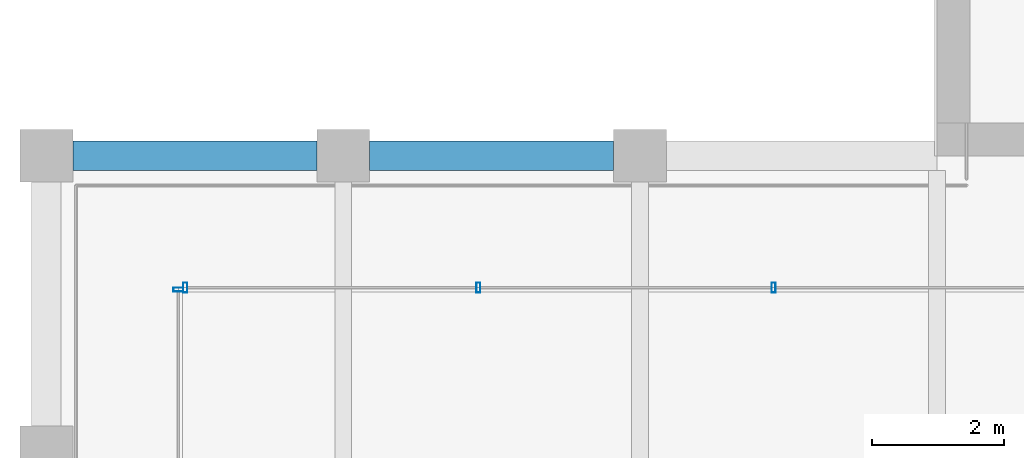
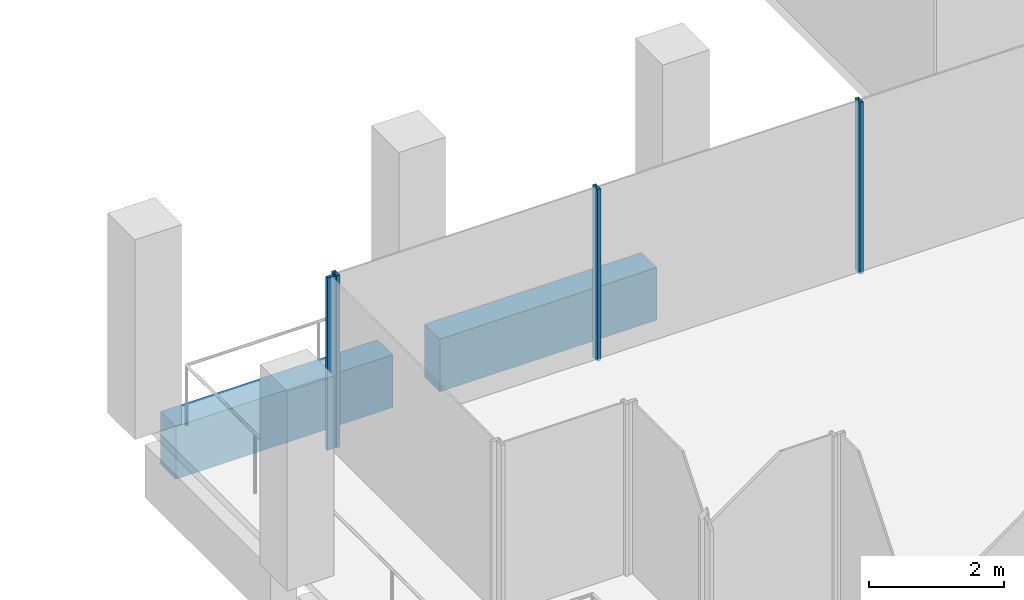
# One storey, part 5 of 40: 4 members, 2 beams, 2 elements without a shape of their own.
"""IFC4 building model written with IfcOpenShell, lengths in metres."""

from ifc_helpers import new_model, si_unit, direction, frame, origin, origin_2d, place, context, subcontext, project, spatial, rectangle, hollow_rectangle, extrude, material, material_profile, profile_set, type_object, element, aggregate, save


model = new_model("IFC4")

# Units and contexts
model_context = context("Model", 3, precision=1e-05, world=origin(), true_north=direction((0.0, 1.0)))
body_context = subcontext(model_context, "Body", "Model", "MODEL_VIEW")
ifc_project = project(units=[si_unit("LENGTHUNIT", "METRE"), si_unit("AREAUNIT", "SQUARE_METRE"), si_unit("VOLUMEUNIT", "CUBIC_METRE"), si_unit("PLANEANGLEUNIT", "RADIAN"), si_unit("MASSUNIT", "GRAM", prefix="KILO")], contexts=[model_context])

# Site, building, storey
site_placement = place(None, origin())
site = spatial("IfcSite", under=ifc_project, at=site_placement, CompositionType="ELEMENT")
building_placement = place(site_placement, origin())
building = spatial("IfcBuilding", under=site, at=building_placement, Name="Altepetl Exchange Towers", CompositionType="ELEMENT")
storey_placement = place(building_placement, frame((0.0, 0.0, 199.199951171875)))
storey = spatial("IfcBuildingStorey", under=building, at=storey_placement, Name="L50", CompositionType="ELEMENT", Elevation=199.199951171875)

# Curtain wall, members
ifc_material_1 = material(Name="Aluminium 6063-T6 glazing", Category="aluminium")
curtain_wall_type = type_object("IfcCurtainWallType", Name="Loggia glazing system", PredefinedType="NOTDEFINED", material=ifc_material_1)
curtain_wall_1_placement = place(storey_placement, origin())
curtain_wall_1 = element("IfcCurtainWall", 1, at=curtain_wall_1_placement, inside=storey, type_object=curtain_wall_type, Name="CW1 run", PredefinedType="NOTDEFINED")
ifc_material_2 = material(Name="Aluminium 6063-T6", Category="aluminium")
ifc_material_profile_1 = material_profile(ifc_material_2, hollow_rectangle(XDim=0.06005859375, YDim=0.14990234375, WallThickness=0.0029296875, at=origin_2d()), Name="Mullion 60x150 aluminium")
ifc_profile_set_1 = profile_set([ifc_material_profile_1], Name="Aluminium 6063-T6")
member_type = type_object("IfcMemberType", Name="Mullion 60x150 aluminium", PredefinedType="MULLION", material=ifc_profile_set_1)
member_1_placement = place(storey_placement, frame((38.02490234375, 38.5, 0.0), z_axis=(0.0, 0.0, 1.0), x_axis=(-1.0, 0.0, 0.0)))
member_1 = element("IfcMember", 2, at=member_1_placement, type_object=member_type, Name="MU1 mullion", PredefinedType="MULLION", context=body_context, shape_type="SweptSolid", body=[
    extrude(hollow_rectangle(XDim=0.06005859375, YDim=0.14990234375, WallThickness=0.0029296875, at=origin_2d()), origin(), (0.0, 0.0, 1.0), 3.10009765625),
])
member_2_placement = place(storey_placement, frame((33.550048828125, 38.5, 0.0), z_axis=(0.0, 0.0, 1.0), x_axis=(-1.0, 0.0, 0.0)))
member_2 = element("IfcMember", 3, at=member_2_placement, type_object=member_type, Name="MU1 mullion", PredefinedType="MULLION", context=body_context, shape_type="SweptSolid", body=[
    extrude(hollow_rectangle(XDim=0.06005859375, YDim=0.14990234375, WallThickness=0.0029296875, at=origin_2d()), origin(), (0.0, 0.0, 1.0), 3.10009765625),
])
member_3_placement = place(storey_placement, frame((29.10498046875, 38.5, 0.0), z_axis=(0.0, 0.0, 1.0), x_axis=(-1.0, 0.0, 0.0)))
member_3 = element("IfcMember", 4, at=member_3_placement, type_object=member_type, Name="MU1 mullion", PredefinedType="MULLION", context=body_context, shape_type="SweptSolid", body=[
    extrude(hollow_rectangle(XDim=0.06005859375, YDim=0.14990234375, WallThickness=0.0029296875, at=origin_2d()), origin(), (0.0, 0.0, 1.0), 3.10009765625),
])
aggregate(curtain_wall_1, [member_1, member_2, member_3])

# Curtain wall, member
curtain_wall_2_placement = place(storey_placement, origin())
curtain_wall_2 = element("IfcCurtainWall", 5, at=curtain_wall_2_placement, inside=storey, type_object=curtain_wall_type, Name="CW1 run", PredefinedType="NOTDEFINED")
member_4_placement = place(storey_placement, frame((29.0, 38.469970703125, 0.0), z_axis=(0.0, 0.0, 1.0), x_axis=(0.0, -1.0, 0.0)))
member_4 = element("IfcMember", 6, at=member_4_placement, type_object=member_type, Name="MU1 mullion", PredefinedType="MULLION", context=body_context, shape_type="SweptSolid", body=[
    extrude(hollow_rectangle(XDim=0.06005859375, YDim=0.14990234375, WallThickness=0.0029296875, at=origin_2d()), origin(), (0.0, 0.0, 1.0), 3.10009765625),
])
aggregate(curtain_wall_2, [member_4])

# Beams
ifc_material_3 = material(Name="Concrete C50/60 precast with tezontle facing", Category="concrete")
ifc_material_profile_2 = material_profile(ifc_material_3, rectangle(XDim=0.449951171875, YDim=0.949951171875, at=origin_2d()), Name="450 x 950")
ifc_profile_set_2 = profile_set([ifc_material_profile_2], Name="Concrete C50/60 precast with tezontle facing")
beam_type = type_object("IfcBeamType", Name="Spandrel beam 450x950 tezontle", PredefinedType="SPANDREL", material=ifc_profile_set_2)
for number, where, z_axis, x_axis, name in (
    (7, (35.60009765625, 40.5, -0.625), (-1.0, 0.0, 0.0), (0.0, -1.0, 0.0), "sp:A:L50:034"),
    (8, (31.10009765625, 40.5, -0.625), (-1.0, 0.0, 0.0), (0.0, -1.0, 0.0), "sp:A:L50:035"),
):
    element("IfcBeam", number, at=place(storey_placement, frame(where, z_axis=z_axis, x_axis=x_axis)), inside=storey, type_object=beam_type, Name=name, PredefinedType="SPANDREL", context=body_context, shape_type="SweptSolid", body=[
        extrude(rectangle(XDim=0.449951171875, YDim=0.949951171875, at=origin_2d()), origin(), (0.0, 0.0, 1.0), 3.7001953125),
    ])

save(model, "model.ifc")
